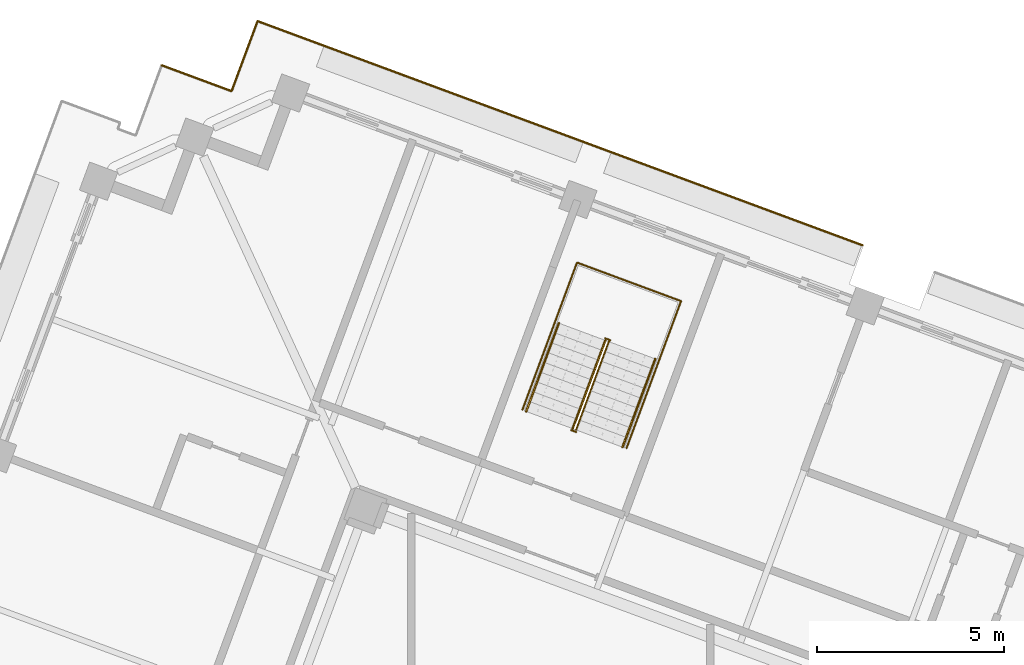
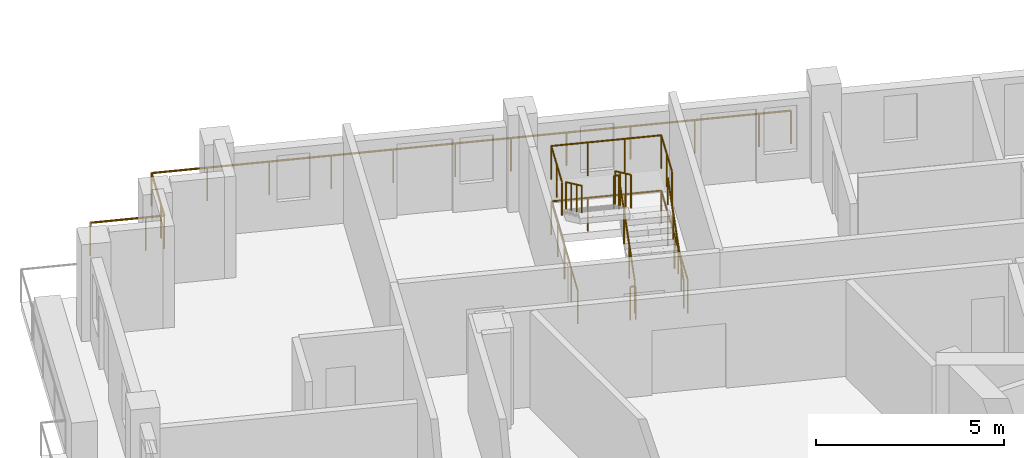
# One storey, part 16 of 19: 8 railings.
"""IFC4 building model written with IfcOpenShell, lengths in metres."""

import ifcopenshell
import ifcopenshell.guid

model = None  # the IFC model being written
_history = None  # IfcOwnerHistory: only IFC2X3 demands one
_inside = {}  # id of a spatial element -> (the spatial element, [elements in it])
_under = {}  # id of a project, library or spatial element -> (it, [spatial elements below it])
_declared = {}  # id of a project -> (the project, [libraries it declares])
_typed = {}  # id of a type object -> (the type object, [elements of that type])
_made_of = {}  # id of a material, layer set ... -> (it, [elements and type objects made of it])


def new_model(schema):
    """Start an empty IFC model of exactly this schema.

    Asked for "IFC4X3", IfcOpenShell would pick the latest addendum, in which some entities
    have other attributes; the version numbers below select the first issue.
    IFC2X3 requires an IfcOwnerHistory on every rooted entity: one is made here for all.
    """
    global model, _history
    if schema == "IFC4X3":
        model = ifcopenshell.file(schema_version=(4, 3, 0, 0))
    else:
        model = ifcopenshell.file(schema=schema)
    _inside.clear()
    _under.clear()
    _declared.clear()
    _typed.clear()
    _made_of.clear()
    _history = None
    if model.schema == "IFC2X3":
        org = make("IfcOrganization", Name="unknown")
        user = make(
            "IfcPersonAndOrganization",
            ThePerson=make("IfcPerson", FamilyName="unknown"),
            TheOrganization=org,
        )
        app = make(
            "IfcApplication",
            ApplicationDeveloper=org,
            Version="unknown",
            ApplicationFullName="unknown",
            ApplicationIdentifier="unknown",
        )
        _history = make(
            "IfcOwnerHistory",
            OwningUser=user,
            OwningApplication=app,
            ChangeAction="ADDED",
            CreationDate=0,
        )
    return model


def make(cls, **values):
    """One entity of the class cls with the attributes given. An attribute that is None is left unset."""
    return model.create_entity(
        cls, **{name: value for name, value in values.items() if value is not None}
    )


def rooted(cls, **values):
    """An entity with a GlobalId (a new one), such as an element, a storey or a relation."""
    return make(cls, GlobalId=ifcopenshell.guid.new(), OwnerHistory=_history, **values)


def si_unit(unit_type, name, prefix=None):
    """IfcSIUnit, for example si_unit("LENGTHUNIT", "METRE", prefix="MILLI")."""
    return make("IfcSIUnit", UnitType=unit_type, Prefix=prefix, Name=name)


def assignment(units):
    """IfcUnitAssignment: the units of a project."""
    return None if units is None else make("IfcUnitAssignment", Units=units)


def point(xyz):
    """IfcCartesianPoint."""
    return None if xyz is None else make("IfcCartesianPoint", Coordinates=xyz)


def direction(xyz):
    """IfcDirection."""
    return None if xyz is None else make("IfcDirection", DirectionRatios=xyz)


def frame(location, z_axis=None, x_axis=None):
    """IfcAxis2Placement3D, a coordinate frame: its origin and axes. An axis left out is left unset."""
    return make(
        "IfcAxis2Placement3D",
        Location=point(location),
        Axis=direction(z_axis),
        RefDirection=direction(x_axis),
    )


def frame_2d(location, x_axis=None):
    """IfcAxis2Placement2D, a coordinate frame in the plane: its origin and x axis."""
    return make(
        "IfcAxis2Placement2D", Location=point(location), RefDirection=direction(x_axis)
    )


def origin():
    """The frame at (0, 0, 0) with its axes left unset."""
    return frame((0.0, 0.0, 0.0))


def origin_2d():
    """The frame at (0, 0) in the plane with its x axis left unset."""
    return frame_2d((0.0, 0.0))


def place(relative_to, where):
    """IfcLocalPlacement: puts the frame where relative to a parent placement (None: the world)."""
    return make(
        "IfcLocalPlacement", PlacementRelTo=relative_to, RelativePlacement=where
    )


def context(
    kind, dimensions, precision=None, world=None, true_north=None, identifier=None
):
    """IfcGeometricRepresentationContext, for example the 3D "Model" context."""
    return make(
        "IfcGeometricRepresentationContext",
        ContextIdentifier=identifier,
        ContextType=kind,
        CoordinateSpaceDimension=dimensions,
        Precision=precision,
        WorldCoordinateSystem=world,
        TrueNorth=true_north,
    )


def subcontext(parent, identifier, kind, view, scale=None):
    """IfcGeometricRepresentationSubContext, for example "Body" below "Model"."""
    return make(
        "IfcGeometricRepresentationSubContext",
        ContextIdentifier=identifier,
        ContextType=kind,
        ParentContext=parent,
        TargetScale=scale,
        TargetView=view,
    )


def project(units=None, contexts=None):
    """IfcProject with its units and contexts."""
    return rooted(
        "IfcProject",
        Name="project",
        RepresentationContexts=contexts,
        UnitsInContext=assignment(units),
    )


def spatial(cls, under=None, at=None, **own):
    """A site, building, storey or space (cls), placed at a placement, below another one or the project."""
    s = rooted(cls, ObjectPlacement=at, **own)
    if under is not None:
        _under.setdefault(under.id(), (under, []))[1].append(s)
    return s


def profile(cls, at=None, kind="AREA", **sizes):
    """A parametric profile (cls). Its sizes go by their IFC names, for example OverallWidth=200.0."""
    return make(cls, ProfileType=kind, Position=at, **sizes)


def circle(**sizes):
    """IfcCircleProfileDef."""
    return profile("IfcCircleProfileDef", **sizes)


def extrude(swept, where, along, depth):
    """IfcExtrudedAreaSolid: the profile swept, set in the frame where, extruded along a direction by depth."""
    return make(
        "IfcExtrudedAreaSolid",
        SweptArea=swept,
        Position=where,
        ExtrudedDirection=direction(along),
        Depth=depth,
    )


def shape(context_of_items, identifier, shape_type, items):
    """IfcShapeRepresentation: the items that make up one representation, for example the "Body"."""
    return make(
        "IfcShapeRepresentation",
        ContextOfItems=context_of_items,
        RepresentationIdentifier=identifier,
        RepresentationType=shape_type,
        Items=items,
    )


def material(Name=None, Category=None):
    """IfcMaterial."""
    return make("IfcMaterial", Name=Name, Category=Category)


def made_of(thing, what):
    """Note that an element or type object is made of a material, layer set ...; save() writes the relation."""
    if what is not None:
        _made_of.setdefault(what.id(), (what, []))[1].append(thing)
    return thing


def type_object(cls, material=None, **own):
    """A type object (cls), such as IfcWallType, which elements share."""
    return made_of(rooted(cls, **own), material)


def element(
    cls,
    number,
    at=None,
    inside=None,
    cuts=None,
    type_object=None,
    material=None,
    context=None,
    identifier="Body",
    shape_type=None,
    held_by="IfcProductDefinitionShape",
    body=None,
    shapes=None,
    **own,
):
    """One element of the class cls, such as IfcWall. Its Tag is "e" and its number.

    at: its placement. inside: the storey or other place that contains it. cuts: it is an
    opening in that element (IfcRelVoidsElement). A single representation is given by context,
    identifier, shape_type and body (its items); several are given by shapes. held_by: the class
    of the entity that holds the representations. save() writes the other relations.
    """
    e = rooted(cls, Tag="e%d" % number, ObjectPlacement=at, **own)
    if body is not None:
        shapes = [shape(context, identifier, shape_type, body)]
    if shapes is not None:
        e.Representation = make(held_by, Representations=shapes)
    if inside is not None:
        _inside.setdefault(inside.id(), (inside, []))[1].append(e)
    if cuts is not None:
        rooted(
            "IfcRelVoidsElement", RelatingBuildingElement=cuts, RelatedOpeningElement=e
        )
    if type_object is not None:
        _typed.setdefault(type_object.id(), (type_object, []))[1].append(e)
    return made_of(e, material)


def aggregate(whole, parts):
    """IfcRelAggregates: a whole, such as a stair, and the parts it consists of."""
    return rooted("IfcRelAggregates", RelatingObject=whole, RelatedObjects=parts)


def save(model, path):
    """Write the relations noted so far, then the file.

    IfcRelAggregates (storeys below a building ...), IfcRelContainedInSpatialStructure (elements
    in a storey), IfcRelDefinesByType, IfcRelAssociatesMaterial and IfcRelDeclares: one each for
    every whole, place, type object, material and project.
    """
    for whole, parts in _under.values():
        aggregate(whole, parts)
    for where, things in _inside.values():
        rooted(
            "IfcRelContainedInSpatialStructure",
            RelatedElements=things,
            RelatingStructure=where,
        )
    for kind, things in _typed.values():
        rooted("IfcRelDefinesByType", RelatedObjects=things, RelatingType=kind)
    for what, things in _made_of.values():
        rooted("IfcRelAssociatesMaterial", RelatedObjects=things, RelatingMaterial=what)
    for by, libraries in _declared.values():
        rooted("IfcRelDeclares", RelatingContext=by, RelatedDefinitions=libraries)
    model.write(path)


model = new_model("IFC4")

# Units and contexts
model_context = context("Model", 3, precision=1e-05, world=origin(), true_north=direction((0.0, 1.0)))
body_context = subcontext(model_context, "Body", "Model", "MODEL_VIEW")
ifc_project = project(units=[si_unit("LENGTHUNIT", "METRE"), si_unit("AREAUNIT", "SQUARE_METRE"), si_unit("VOLUMEUNIT", "CUBIC_METRE"), si_unit("PLANEANGLEUNIT", "RADIAN"), si_unit("MASSUNIT", "GRAM", prefix="KILO")], contexts=[model_context])

# Site, building, storey
site_placement = place(None, origin())
site = spatial("IfcSite", under=ifc_project, at=site_placement, CompositionType="ELEMENT")
building_placement = place(site_placement, origin())
building = spatial("IfcBuilding", under=site, at=building_placement, Name="Cantera Rosa Tower", CompositionType="ELEMENT")
storey_placement = place(building_placement, frame((0.0, 0.0, 342.10009765625)))
storey = spatial("IfcBuildingStorey", under=building, at=storey_placement, Name="L77", CompositionType="ELEMENT", Elevation=342.10009765625)

# Railings
ifc_material_1 = material(Name="Stainless steel and laminated glass", Category="steel")
railing_type_1 = type_object("IfcRailingType", Name="GUARD 1100", PredefinedType="BALUSTRADE", material=ifc_material_1)
railing_1_placement = place(storey_placement, frame((-10.685302734375, 28.434814453125, 0.0)))
element("IfcRailing", 1, at=railing_1_placement, inside=storey, type_object=railing_type_1, Name="GUARD L77-5", PredefinedType="BALUSTRADE", context=body_context, shape_type="SweptSolid", body=[
    extrude(circle(Radius=0.030029296875, at=origin_2d()), frame((0.0, 0.0, 1.070068359375), z_axis=(0.937680024402, -0.347499887537, 0.0), x_axis=(0.347499887537, 0.937680024402, 0.0)), (0.0, 0.0, 1.0), 1.5),
    extrude(circle(Radius=0.030029296875, at=origin_2d()), frame((1.406494140625, -0.521240234375, 1.070068359375), z_axis=(0.937666302575, -0.34753691173, 0.0), x_axis=(0.34753691173, 0.937666302575, 0.0)), (0.0, 0.0, 1.0), 0.500244140625),
    extrude(circle(Radius=0.030029296875, at=origin_2d()), frame((1.87548828125, -0.695068359375, 1.070068359375), z_axis=(0.347107644204, 0.937825294677, 0.0), x_axis=(-0.937825294677, 0.347107644204, 0.0)), (0.0, 0.0, 1.0), 0.5),
    extrude(circle(Radius=0.030029296875, at=origin_2d()), frame((2.049072265625, -0.22607421875, 1.070068359375), z_axis=(0.347499887537, 0.937680024402, 0.0), x_axis=(-0.937680024402, 0.347499887537, 0.0)), (0.0, 0.0, 1.0), 1.5),
    extrude(circle(Radius=0.030029296875, at=origin_2d()), frame((2.5703125, 1.180419921875, 1.070068359375), z_axis=(0.937680024402, -0.347499887537, 0.0), x_axis=(0.347499887537, 0.937680024402, 0.0)), (0.0, 0.0, 1.0), 1.5),
    extrude(circle(Radius=0.030029296875, at=origin_2d()), frame((3.976806640625, 0.6591796875, 1.070068359375), z_axis=(0.937686328856, -0.347482875373, 0.0), x_axis=(0.347482875373, 0.937686328856, 0.0)), (0.0, 0.0, 1.0), 6.699951171875),
    extrude(circle(Radius=0.030029296875, at=origin_2d()), frame((10.25927734375, -1.6689453125, 1.070068359375), z_axis=(0.93768985062, -0.347473371704, 0.0), x_axis=(0.347473371704, 0.93768985062, 0.0)), (0.0, 0.0, 1.0), 3.000244140625),
    extrude(circle(Radius=0.030029296875, at=origin_2d()), frame((13.072509765625, -2.71142578125, 1.070068359375), z_axis=(0.937688147358, -0.347477968085, 0.0), x_axis=(0.347477968085, 0.937688147358, 0.0)), (0.0, 0.0, 1.0), 5.199951171875),
    extrude(circle(Radius=0.030029296875, at=origin_2d()), frame((17.948486328125, -4.518310546875, 1.070068359375), z_axis=(0.937694580373, -0.347460607753, 0.0), x_axis=(0.347460607753, 0.937694580373, 0.0)), (0.0, 0.0, 1.0), 0.869873046875),
    extrude(circle(Radius=0.02490234375, at=origin_2d()), origin(), (0.0, 0.0, 1.0), 1.0400390625),
    extrude(circle(Radius=0.02490234375, at=origin_2d()), frame((1.406494140625, -0.521240234375, 0.0)), (0.0, 0.0, 1.0), 1.0400390625),
    extrude(circle(Radius=0.02490234375, at=origin_2d()), frame((1.87548828125, -0.695068359375, 0.0)), (0.0, 0.0, 1.0), 1.0400390625),
    extrude(circle(Radius=0.02490234375, at=origin_2d()), frame((2.049072265625, -0.22607421875, 0.0)), (0.0, 0.0, 1.0), 1.0400390625),
    extrude(circle(Radius=0.02490234375, at=origin_2d()), frame((2.5703125, 1.180419921875, 0.0)), (0.0, 0.0, 1.0), 1.0400390625),
    extrude(circle(Radius=0.02490234375, at=origin_2d()), frame((3.976806640625, 0.6591796875, 0.0)), (0.0, 0.0, 1.0), 1.0400390625),
    extrude(circle(Radius=0.02490234375, at=origin_2d()), frame((5.54736328125, 0.0771484375, 0.0)), (0.0, 0.0, 1.0), 1.0400390625),
    extrude(circle(Radius=0.02490234375, at=origin_2d()), frame((7.1181640625, -0.5048828125, 0.0)), (0.0, 0.0, 1.0), 1.0400390625),
    extrude(circle(Radius=0.02490234375, at=origin_2d()), frame((8.688720703125, -1.0869140625, 0.0)), (0.0, 0.0, 1.0), 1.0400390625),
    extrude(circle(Radius=0.02490234375, at=origin_2d()), frame((10.25927734375, -1.6689453125, 0.0)), (0.0, 0.0, 1.0), 1.0400390625),
    extrude(circle(Radius=0.02490234375, at=origin_2d()), frame((11.666015625, -2.190185546875, 0.0)), (0.0, 0.0, 1.0), 1.0400390625),
    extrude(circle(Radius=0.02490234375, at=origin_2d()), frame((13.072509765625, -2.71142578125, 0.0)), (0.0, 0.0, 1.0), 1.0400390625),
    extrude(circle(Radius=0.02490234375, at=origin_2d()), frame((14.69775390625, -3.313720703125, 0.0)), (0.0, 0.0, 1.0), 1.0400390625),
    extrude(circle(Radius=0.02490234375, at=origin_2d()), frame((16.3232421875, -3.916015625, 0.0)), (0.0, 0.0, 1.0), 1.0400390625),
    extrude(circle(Radius=0.02490234375, at=origin_2d()), frame((17.948486328125, -4.518310546875, 0.0)), (0.0, 0.0, 1.0), 1.0400390625),
    extrude(circle(Radius=0.02490234375, at=origin_2d()), frame((18.76416015625, -4.820556640625, 0.0)), (0.0, 0.0, 1.0), 1.0400390625),
])
ifc_material_2 = material(Name="Steel S355J2 (EN 10025-2)", Category="steel")
railing_type_2 = type_object("IfcRailingType", Name="STAIR GUARD 1100", PredefinedType="GUARDRAIL", material=ifc_material_2)
railing_2_placement = place(storey_placement, frame((0.412109375, 18.670166015625, 0.179931640625)))
element("IfcRailing", 2, at=railing_2_placement, inside=storey, type_object=railing_type_2, Name="L77 ST-62 stair guard 1", PredefinedType="GUARDRAIL", context=body_context, shape_type="SweptSolid", body=[
    extrude(circle(Radius=0.02392578125, at=origin_2d()), frame((0.0, 0.0, 1.076171875), z_axis=(0.292319685639, 0.78878233546, 0.540713998944), x_axis=(-0.937679794265, 0.347500508527, 0.0)), (0.0, 0.0, 1.0), 2.995849609375),
    extrude(circle(Radius=0.02392578125, at=origin_2d()), frame((0.875732421875, 2.363037109375, 2.69580078125), z_axis=(0.740919573429, 0.671593765389, 0.0), x_axis=(-0.671593765389, 0.740919573429, 0.0)), (0.0, 0.0, 1.0), 0.056396484375),
    extrude(circle(Radius=0.02392578125, at=origin_2d()), frame((0.91748046875, 2.40087890625, 2.69580078125), z_axis=(-0.937925419525, 0.346837004095, 0.0), x_axis=(-0.346837004095, -0.937925419525, 0.0)), (0.0, 0.0, 1.0), 0.14990234375),
    extrude(circle(Radius=0.02099609375, at=origin_2d()), origin(), (0.0, 0.0, 1.0), 1.052001953125),
    extrude(circle(Radius=0.02099609375, at=origin_2d()), frame((0.2919921875, 0.78759765625, 0.5400390625)), (0.0, 0.0, 1.0), 1.052001953125),
    extrude(circle(Radius=0.02099609375, at=origin_2d()), frame((0.583740234375, 1.575439453125, 1.079833984375)), (0.0, 0.0, 1.0), 1.052001953125),
    extrude(circle(Radius=0.02099609375, at=origin_2d()), frame((0.875732421875, 2.363037109375, 1.619873046875)), (0.0, 0.0, 1.0), 1.052001953125),
    extrude(circle(Radius=0.02099609375, at=origin_2d()), frame((0.91748046875, 2.40087890625, 1.619873046875)), (0.0, 0.0, 1.0), 1.052001953125),
    extrude(circle(Radius=0.02099609375, at=origin_2d()), frame((0.77685546875, 2.452880859375, 1.619873046875)), (0.0, 0.0, 1.0), 1.052001953125),
])
railing_3_placement = place(storey_placement, frame((1.196044921875, 21.067138671875, 1.97998046875)))
element("IfcRailing", 3, at=railing_3_placement, inside=storey, type_object=railing_type_2, Name="L77 ST-62 stair guard 2", PredefinedType="GUARDRAIL", context=body_context, shape_type="SweptSolid", body=[
    extrude(circle(Radius=0.02392578125, at=origin_2d()), frame((0.0, 0.0, 1.076171875), z_axis=(-0.292319685639, -0.78878233546, 0.540713998944), x_axis=(0.937679794265, -0.347500508527, 0.0)), (0.0, 0.0, 1.0), 2.995849609375),
    extrude(circle(Radius=0.02099609375, at=origin_2d()), origin(), (0.0, 0.0, 1.0), 1.052001953125),
    extrude(circle(Radius=0.02099609375, at=origin_2d()), frame((-0.2919921875, -0.78759765625, 0.5400390625)), (0.0, 0.0, 1.0), 1.052001953125),
    extrude(circle(Radius=0.02099609375, at=origin_2d()), frame((-0.583740234375, -1.575439453125, 1.079833984375)), (0.0, 0.0, 1.0), 1.052001953125),
    extrude(circle(Radius=0.02099609375, at=origin_2d()), frame((-0.875732421875, -2.363037109375, 1.619873046875)), (0.0, 0.0, 1.0), 1.052001953125),
])
railing_4_placement = place(storey_placement, frame((0.419189453125, 18.6142578125, 0.0)))
element("IfcRailing", 4, at=railing_4_placement, inside=storey, type_object=railing_type_2, Name="L77 ST-62 stair guard 3", PredefinedType="GUARDRAIL", context=body_context, shape_type="SweptSolid", body=[
    extrude(circle(Radius=0.02392578125, at=origin_2d()), frame((0.0, 0.0, 1.076171875), z_axis=(-0.937925419525, 0.346837004095, 0.0), x_axis=(-0.346837004095, -0.937925419525, 0.0)), (0.0, 0.0, 1.0), 0.14990234375),
    extrude(circle(Radius=0.02099609375, at=origin_2d()), origin(), (0.0, 0.0, 1.0), 1.052001953125),
    extrude(circle(Radius=0.02099609375, at=origin_2d()), frame((-0.140625, 0.052001953125, 0.0)), (0.0, 0.0, 1.0), 1.052001953125),
])
railing_5_placement = place(storey_placement, frame((1.762939453125, 18.182373046875, 0.0)))
element("IfcRailing", 5, at=railing_5_placement, inside=storey, type_object=railing_type_2, Name="L77 ST-62 stair guard 4", PredefinedType="GUARDRAIL", context=body_context, shape_type="SweptSolid", body=[
    extrude(circle(Radius=0.02392578125, at=origin_2d()), frame((0.0, 0.0, 1.076171875), z_axis=(0.347475346394, 0.937689118871, 0.0), x_axis=(-0.937689118871, 0.347475346394, 0.0)), (0.0, 0.0, 1.0), 4.197998046875),
    extrude(circle(Radius=0.02392578125, at=origin_2d()), frame((1.458740234375, 3.9365234375, 1.076171875), z_axis=(-0.937690243436, 0.347472311651, 0.0), x_axis=(-0.347472311651, -0.937690243436, 0.0)), (0.0, 0.0, 1.0), 2.969970703125),
    extrude(circle(Radius=0.02392578125, at=origin_2d()), frame((-1.326171875, 4.968505859375, 1.076171875), z_axis=(-0.347475346394, -0.937689118871, 0.0), x_axis=(0.937689118871, -0.347475346394, 0.0)), (0.0, 0.0, 1.0), 4.197998046875),
    extrude(circle(Radius=0.02099609375, at=origin_2d()), origin(), (0.0, 0.0, 1.0), 1.052001953125),
    extrude(circle(Radius=0.02099609375, at=origin_2d()), frame((0.36474609375, 0.984130859375, 0.0)), (0.0, 0.0, 1.0), 1.052001953125),
    extrude(circle(Radius=0.02099609375, at=origin_2d()), frame((0.7294921875, 1.96826171875, 0.0)), (0.0, 0.0, 1.0), 1.052001953125),
    extrude(circle(Radius=0.02099609375, at=origin_2d()), frame((1.093994140625, 2.952392578125, 0.0)), (0.0, 0.0, 1.0), 1.052001953125),
    extrude(circle(Radius=0.02099609375, at=origin_2d()), frame((1.458740234375, 3.9365234375, 0.0)), (0.0, 0.0, 1.0), 1.052001953125),
    extrude(circle(Radius=0.02099609375, at=origin_2d()), frame((0.530517578125, 4.280517578125, 0.0)), (0.0, 0.0, 1.0), 1.052001953125),
    extrude(circle(Radius=0.02099609375, at=origin_2d()), frame((-0.39794921875, 4.62451171875, 0.0)), (0.0, 0.0, 1.0), 1.052001953125),
    extrude(circle(Radius=0.02099609375, at=origin_2d()), frame((-1.326171875, 4.968505859375, 0.0)), (0.0, 0.0, 1.0), 1.052001953125),
    extrude(circle(Radius=0.02099609375, at=origin_2d()), frame((-1.69091796875, 3.984375, 0.0)), (0.0, 0.0, 1.0), 1.052001953125),
    extrude(circle(Radius=0.02099609375, at=origin_2d()), frame((-2.0556640625, 3.000244140625, 0.0)), (0.0, 0.0, 1.0), 1.052001953125),
    extrude(circle(Radius=0.02099609375, at=origin_2d()), frame((-2.420166015625, 2.01611328125, 0.0)), (0.0, 0.0, 1.0), 1.052001953125),
    extrude(circle(Radius=0.02099609375, at=origin_2d()), frame((-2.784912109375, 1.031982421875, 0.0)), (0.0, 0.0, 1.0), 1.052001953125),
])
railing_6_placement = place(storey_placement, frame((2.630126953125, 20.52294921875, 1.7998046875)))
element("IfcRailing", 6, at=railing_6_placement, inside=storey, type_object=railing_type_2, Name="L77 ST-62 stair guard 5", PredefinedType="GUARDRAIL", context=body_context, shape_type="SweptSolid", body=[
    extrude(circle(Radius=0.02392578125, at=origin_2d()), frame((0.0, 0.0, 1.076171875), z_axis=(0.347552602091, 0.937660486946, 0.0), x_axis=(-0.937660486946, 0.347552602091, 0.0)), (0.0, 0.0, 1.0), 1.7021484375),
    extrude(circle(Radius=0.02392578125, at=origin_2d()), frame((0.591552734375, 1.595947265625, 1.076171875), z_axis=(-0.937690243436, 0.347472311651, 0.0), x_axis=(-0.347472311651, -0.937690243436, 0.0)), (0.0, 0.0, 1.0), 2.969970703125),
    extrude(circle(Radius=0.02392578125, at=origin_2d()), frame((-2.193359375, 2.6279296875, 1.076171875), z_axis=(-0.347552602091, -0.937660486946, 0.0), x_axis=(0.937660486946, -0.347552602091, 0.0)), (0.0, 0.0, 1.0), 1.7021484375),
    extrude(circle(Radius=0.02099609375, at=origin_2d()), origin(), (0.0, 0.0, 1.0), 1.052001953125),
    extrude(circle(Radius=0.02099609375, at=origin_2d()), frame((0.2958984375, 0.7978515625, 0.0)), (0.0, 0.0, 1.0), 1.052001953125),
    extrude(circle(Radius=0.02099609375, at=origin_2d()), frame((0.591552734375, 1.595947265625, 0.0)), (0.0, 0.0, 1.0), 1.052001953125),
    extrude(circle(Radius=0.02099609375, at=origin_2d()), frame((-0.336669921875, 1.93994140625, 0.0)), (0.0, 0.0, 1.0), 1.052001953125),
    extrude(circle(Radius=0.02099609375, at=origin_2d()), frame((-1.26513671875, 2.283935546875, 0.0)), (0.0, 0.0, 1.0), 1.052001953125),
    extrude(circle(Radius=0.02099609375, at=origin_2d()), frame((-2.193359375, 2.6279296875, 0.0)), (0.0, 0.0, 1.0), 1.052001953125),
    extrude(circle(Radius=0.02099609375, at=origin_2d()), frame((-2.4892578125, 1.830078125, 0.0)), (0.0, 0.0, 1.0), 1.052001953125),
    extrude(circle(Radius=0.02099609375, at=origin_2d()), frame((-2.784912109375, 1.031982421875, 0.0)), (0.0, 0.0, 1.0), 1.052001953125),
])
ifc_material_3 = material(Name="Steel S355J2 (EN 10025-2)", Category="steel")
railing_type_3 = type_object("IfcRailingType", Name="STAIR HANDRAIL 900", PredefinedType="HANDRAIL", material=ifc_material_3)
railing_7_placement = place(storey_placement, frame((1.655517578125, 18.20947265625, 0.179931640625)))
element("IfcRailing", 7, at=railing_7_placement, inside=storey, type_object=railing_type_3, Name="L77 ST-62 stair handrail 1", PredefinedType="HANDRAIL", context=body_context, shape_type="SweptSolid", body=[
    extrude(circle(Radius=0.02392578125, at=origin_2d()), frame((0.0, 0.0, 0.8759765625), z_axis=(0.292338477135, 0.788751542156, 0.540748758236), x_axis=(-0.937668094043, 0.347532078253, 0.0)), (0.0, 0.0, 1.0), 2.99560546875),
    extrude(circle(Radius=0.02099609375, at=origin_2d()), origin(), (0.0, 0.0, 1.0), 0.851806640625),
    extrude(circle(Radius=0.02099609375, at=origin_2d()), frame((0.2919921875, 0.78759765625, 0.5400390625)), (0.0, 0.0, 1.0), 0.851806640625),
    extrude(circle(Radius=0.02099609375, at=origin_2d()), frame((0.583740234375, 1.5751953125, 1.079833984375)), (0.0, 0.0, 1.0), 0.851806640625),
    extrude(circle(Radius=0.02099609375, at=origin_2d()), frame((0.875732421875, 2.36279296875, 1.619873046875)), (0.0, 0.0, 1.0), 0.851806640625),
])
railing_8_placement = place(storey_placement, frame((-0.04736328125, 21.52783203125, 1.97998046875)))
element("IfcRailing", 8, at=railing_8_placement, inside=storey, type_object=railing_type_3, Name="L77 ST-62 stair handrail 2", PredefinedType="HANDRAIL", context=body_context, shape_type="SweptSolid", body=[
    extrude(circle(Radius=0.02392578125, at=origin_2d()), frame((0.0, 0.0, 0.8759765625), z_axis=(-0.292338477135, -0.788751542156, 0.540748758236), x_axis=(0.937668094043, -0.347532078253, 0.0)), (0.0, 0.0, 1.0), 2.99560546875),
    extrude(circle(Radius=0.02099609375, at=origin_2d()), origin(), (0.0, 0.0, 1.0), 0.851806640625),
    extrude(circle(Radius=0.02099609375, at=origin_2d()), frame((-0.2919921875, -0.78759765625, 0.5400390625)), (0.0, 0.0, 1.0), 0.851806640625),
    extrude(circle(Radius=0.02099609375, at=origin_2d()), frame((-0.583740234375, -1.5751953125, 1.079833984375)), (0.0, 0.0, 1.0), 0.851806640625),
    extrude(circle(Radius=0.02099609375, at=origin_2d()), frame((-0.875732421875, -2.36279296875, 1.619873046875)), (0.0, 0.0, 1.0), 0.851806640625),
])

save(model, "model.ifc")
